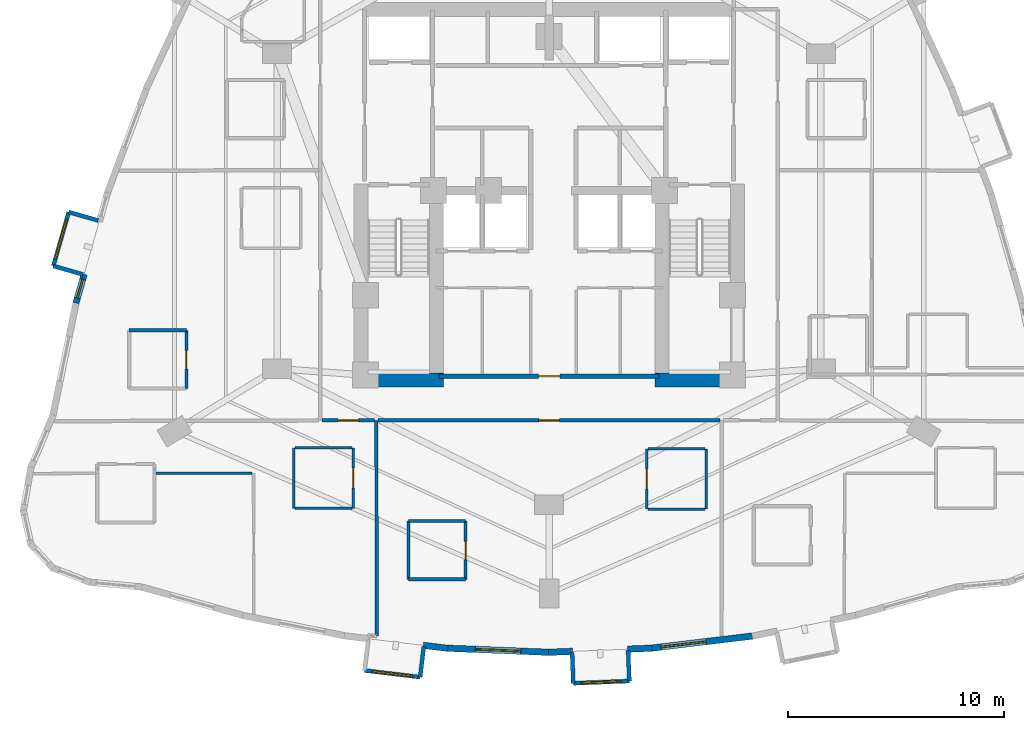
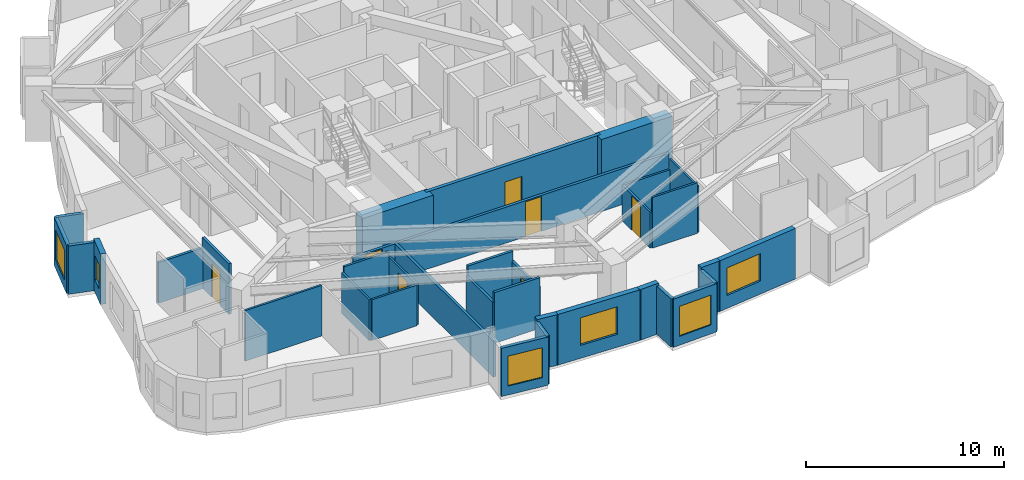
# One storey, part 6 of 13: 35 walls, 7 doors, 6 windows, 13 openings.
"""IFC4 building model written with IfcOpenShell, lengths in metres."""

from ifc_helpers import new_model, si_unit, direction, frame, frame_2d, origin, place, context, subcontext, project, spatial, rectangle, extrude, material, layer, layer_set, type_object, element, fill, save


model = new_model("IFC4")

# Units and contexts
model_context = context("Model", 3, precision=1e-05, world=origin(), true_north=direction((0.0, 1.0)))
body_context = subcontext(model_context, "Body", "Model", "MODEL_VIEW")
ifc_project = project(units=[si_unit("LENGTHUNIT", "METRE"), si_unit("AREAUNIT", "SQUARE_METRE"), si_unit("VOLUMEUNIT", "CUBIC_METRE"), si_unit("PLANEANGLEUNIT", "RADIAN"), si_unit("MASSUNIT", "GRAM", prefix="KILO")], contexts=[model_context])

# Site, building, storey
site_placement = place(None, origin())
site = spatial("IfcSite", under=ifc_project, at=site_placement, CompositionType="ELEMENT")
building_placement = place(site_placement, origin())
building = spatial("IfcBuilding", under=site, at=building_placement, Name="Miruveldt Soraemaru", CompositionType="ELEMENT")
storey_placement = place(building_placement, frame((0.0, 0.0, 70.0)))
storey = spatial("IfcBuildingStorey", under=building, at=storey_placement, Name="L19", CompositionType="ELEMENT", Elevation=70.0)

# Walls
ifc_material_1 = material(Name="White powder-coated aluminium EN AW-6060 T6", Category="aluminium")
ifc_layer_1 = layer(ifc_material_1, 0.18994140625, Name="White powder-coated aluminium EN AW-6060 T6", Category="aluminium")
ifc_layer_set_1 = layer_set([ifc_layer_1], Name="White powder-coated aluminium EN AW-6060 T6")
wall_type_1 = type_object("IfcWallType", Name="WALL-BAY-ALU190", PredefinedType="SOLIDWALL", material=ifc_layer_set_1)
for number, where, z_axis, x_axis, name in (
    (1, (23.110107421875, 42.664794921875, 0.0), (0.0, 0.0, 1.0), (-0.961452801096, 0.274970018845, 0.0), "L19 Bay Window Side Cheek 2L"),
    (2, (21.02490234375, 40.556884765625, 0.0), (0.0, 0.0, 1.0), (0.961452801096, -0.274970018845, 0.0), "L19 Bay Window Side Cheek 2R"),
):
    element("IfcWall", number, at=place(storey_placement, frame(where, z_axis=z_axis, x_axis=x_axis)), inside=storey, type_object=wall_type_1, Name=name, PredefinedType="SOLIDWALL", context=body_context, shape_type="SweptSolid", body=[
        extrude(rectangle(XDim=1.425048828125, YDim=0.18994140625, at=frame_2d((0.71240234375, 0.0))), origin(), (0.0, 0.0, 1.0), 2.97509765625),
    ])

# Wall, opening, window
wall_1_placement = place(storey_placement, frame((21.739990234375, 43.056640625, 0.0), z_axis=(0.0, 0.0, 1.0), x_axis=(-0.275031158597, -0.961435313373, 0.0)))
wall_1 = element("IfcWall", 3, at=wall_1_placement, inside=storey, type_object=wall_type_1, Name="L19 Bay Window Front Frame 2", PredefinedType="SOLIDWALL", context=body_context, shape_type="SweptSolid", body=[
    extrude(rectangle(XDim=2.60009765625, YDim=0.18994140625, at=frame_2d((1.300048828125, 0.0))), origin(), (0.0, 0.0, 1.0), 2.97509765625),
])
opening_1_placement = place(wall_1_placement, frame((0.35009765625, 0.0, 0.550048828125)))
opening_1 = element("IfcOpeningElement", 4, at=opening_1_placement, cuts=wall_1, Name="Opening WN-6", PredefinedType="OPENING", context=body_context, shape_type="SweptSolid", body=[
    extrude(rectangle(XDim=1.89990234375, YDim=1.85009765625, at=frame_2d((0.949951171875, 0.925048828125))), frame((0.0, 0.10498046875, 0.0), z_axis=(0.0, -1.0, 0.0), x_axis=(1.0, 0.0, 0.0)), (0.0, 0.0, 1.0), 0.2099609375),
])
ifc_material_2 = material(Name="Triple low-e insulated glazing", Category="glass")
window_type_1 = type_object("IfcWindowType", Name="WIN-BAYW-1900x1850", PartitioningType="SINGLE_PANEL", PredefinedType="WINDOW", material=ifc_material_2)
window_1_placement = place(opening_1_placement, origin())
window_1 = element("IfcWindow", 5, at=window_1_placement, inside=storey, type_object=window_type_1, Name="L19 Projecting Bay Window 2", OverallHeight=1.85009765625, OverallWidth=1.89990234375, PartitioningType="SINGLE_PANEL", PredefinedType="WINDOW", context=body_context, shape_type="SweptSolid", body=[
    extrude(rectangle(XDim=1.89990234375, YDim=1.85009765625, at=frame_2d((0.949951171875, 0.925048828125))), frame((0.0, 0.030029296875, 0.0), z_axis=(0.0, -1.0, 0.0), x_axis=(1.0, 0.0, 0.0)), (0.0, 0.0, 1.0), 0.06005859375),
])
fill(opening_1, window_1)

# Wall
wall_2_placement = place(storey_placement, frame((38.02685546875, 21.504638671875, 0.0), z_axis=(0.0, 0.0, 1.0), x_axis=(0.119077659317, 0.992884943511, 0.0)))
element("IfcWall", 6, at=wall_2_placement, inside=storey, type_object=wall_type_1, Name="L19 Bay Window Side Cheek 3R", PredefinedType="SOLIDWALL", context=body_context, shape_type="SweptSolid", body=[
    extrude(rectangle(XDim=1.425048828125, YDim=0.18994140625, at=frame_2d((0.71240234375, 0.0))), origin(), (0.0, 0.0, 1.0), 2.97509765625),
])

# Wall, opening, window
wall_3_placement = place(storey_placement, frame((35.4453125, 21.814453125, 0.0), z_axis=(0.0, 0.0, 1.0), x_axis=(0.99287550549, -0.119156328397, 0.0)))
wall_3 = element("IfcWall", 7, at=wall_3_placement, inside=storey, type_object=wall_type_1, Name="L19 Bay Window Front Frame 3", PredefinedType="SOLIDWALL", context=body_context, shape_type="SweptSolid", body=[
    extrude(rectangle(XDim=2.60009765625, YDim=0.18994140625, at=frame_2d((1.300048828125, 0.0))), origin(), (0.0, 0.0, 1.0), 2.97509765625),
])
opening_2_placement = place(wall_3_placement, frame((0.35009765625, 0.0, 0.550048828125)))
opening_2 = element("IfcOpeningElement", 8, at=opening_2_placement, cuts=wall_3, Name="Opening WN-6", PredefinedType="OPENING", context=body_context, shape_type="SweptSolid", body=[
    extrude(rectangle(XDim=1.89990234375, YDim=1.85009765625, at=frame_2d((0.949951171875, 0.925048828125))), frame((0.0, 0.10498046875, 0.0), z_axis=(0.0, -1.0, 0.0), x_axis=(1.0, 0.0, 0.0)), (0.0, 0.0, 1.0), 0.2099609375),
])
window_2_placement = place(opening_2_placement, origin())
window_2 = element("IfcWindow", 9, at=window_2_placement, inside=storey, type_object=window_type_1, Name="L19 Projecting Bay Window 3", OverallHeight=1.85009765625, OverallWidth=1.89990234375, PartitioningType="SINGLE_PANEL", PredefinedType="WINDOW", context=body_context, shape_type="SweptSolid", body=[
    extrude(rectangle(XDim=1.89990234375, YDim=1.85009765625, at=frame_2d((0.949951171875, 0.925048828125))), frame((0.0, 0.030029296875, 0.0), z_axis=(0.0, -1.0, 0.0), x_axis=(1.0, 0.0, 0.0)), (0.0, 0.0, 1.0), 0.06005859375),
])
fill(opening_2, window_2)

# Walls
for number, where, z_axis, x_axis, name in (
    (10, (45.06591796875, 22.64404296875, 0.0), (0.0, 0.0, 1.0), (0.039920142234, -0.999202873417, 0.0), "L19 Bay Window Side Cheek 4L"),
    (11, (47.720703125, 21.32421875, 0.0), (0.0, 0.0, 1.0), (-0.039920142234, 0.999202873417, 0.0), "L19 Bay Window Side Cheek 4R"),
):
    element("IfcWall", number, at=place(storey_placement, frame(where, z_axis=z_axis, x_axis=x_axis)), inside=storey, type_object=wall_type_1, Name=name, PredefinedType="SOLIDWALL", context=body_context, shape_type="SweptSolid", body=[
        extrude(rectangle(XDim=1.425048828125, YDim=0.18994140625, at=frame_2d((0.71240234375, 0.0))), origin(), (0.0, 0.0, 1.0), 2.97509765625),
    ])

# Wall, opening, window
wall_4_placement = place(storey_placement, frame((45.122802734375, 21.22021484375, 0.0), z_axis=(0.0, 0.0, 1.0), x_axis=(0.999199608139, 0.040001788654, 0.0)))
wall_4 = element("IfcWall", 12, at=wall_4_placement, inside=storey, type_object=wall_type_1, Name="L19 Bay Window Front Frame 4", PredefinedType="SOLIDWALL", context=body_context, shape_type="SweptSolid", body=[
    extrude(rectangle(XDim=2.60009765625, YDim=0.18994140625, at=frame_2d((1.300048828125, 0.0))), origin(), (0.0, 0.0, 1.0), 2.97509765625),
])
opening_3_placement = place(wall_4_placement, frame((0.35009765625, 0.0, 0.550048828125)))
opening_3 = element("IfcOpeningElement", 13, at=opening_3_placement, cuts=wall_4, Name="Opening WN-6", PredefinedType="OPENING", context=body_context, shape_type="SweptSolid", body=[
    extrude(rectangle(XDim=1.89990234375, YDim=1.85009765625, at=frame_2d((0.949951171875, 0.925048828125))), frame((0.0, 0.10498046875, 0.0), z_axis=(0.0, -1.0, 0.0), x_axis=(1.0, 0.0, 0.0)), (0.0, 0.0, 1.0), 0.2099609375),
])
window_3_placement = place(opening_3_placement, origin())
window_3 = element("IfcWindow", 14, at=window_3_placement, inside=storey, type_object=window_type_1, Name="L19 Projecting Bay Window 4", OverallHeight=1.85009765625, OverallWidth=1.89990234375, PartitioningType="SINGLE_PANEL", PredefinedType="WINDOW", context=body_context, shape_type="SweptSolid", body=[
    extrude(rectangle(XDim=1.89990234375, YDim=1.85009765625, at=frame_2d((0.949951171875, 0.925048828125))), frame((0.0, 0.030029296875, 0.0), z_axis=(0.0, -1.0, 0.0), x_axis=(1.0, 0.0, 0.0)), (0.0, 0.0, 1.0), 0.06005859375),
])
fill(opening_3, window_3)

# Walls
ifc_material_3 = material(Name="Concrete C80/95 (80 MPa)", Category="concrete")
ifc_layer_2 = layer(ifc_material_3, 0.64990234375, Name="Concrete C80/95 (80 MPa)", Category="concrete")
ifc_layer_set_2 = layer_set([ifc_layer_2], Name="Concrete C80/95 (80 MPa)")
wall_type_2 = type_object("IfcWallType", Name="WALL-CW-650", PredefinedType="SHEAR", material=ifc_layer_set_2)
for number, where, z_axis, x_axis, name in (
    (15, (34.949951171875, 35.27490234375, 0.0), (0.0, 0.0, 1.0), (1.0, 0.0, 0.0), "L19 Central Core Shear Wall S1"),
    (16, (48.89990234375, 35.27490234375, 0.0), (0.0, 0.0, 1.0), (1.0, 0.0, 0.0), "L19 Central Core Shear Wall S2"),
):
    element("IfcWall", number, at=place(storey_placement, frame(where, z_axis=z_axis, x_axis=x_axis)), inside=storey, type_object=wall_type_2, Name=name, PredefinedType="SHEAR", context=body_context, shape_type="SweptSolid", body=[
        extrude(rectangle(XDim=4.150146484375, YDim=0.64990234375, at=frame_2d((2.0751953125, 0.0))), origin(), (0.0, 0.0, 1.0), 3.125),
    ])

# Wall, opening, window
ifc_material_4 = material(Name="Precast concrete C45/55 (45 MPa)", Category="concrete")
ifc_layer_3 = layer(ifc_material_4, 0.300048828125, Name="Precast concrete C45/55 (45 MPa)", Category="concrete")
ifc_layer_set_3 = layer_set([ifc_layer_3], Name="Precast concrete C45/55 (45 MPa)")
wall_type_3 = type_object("IfcWallType", Name="WALL-EXT-PC300", PredefinedType="SOLIDWALL", material=ifc_layer_set_3)
wall_5_placement = place(storey_placement, frame((22.4560546875, 40.1787109375, 0.0), z_axis=(0.0, 0.0, 1.0), x_axis=(-0.274952422311, -0.961457833431, 0.0)))
wall_5 = element("IfcWall", 17, at=wall_5_placement, inside=storey, type_object=wall_type_3, Name="L19 Precast Pier Wall 13B", PredefinedType="SOLIDWALL", context=body_context, shape_type="SweptSolid", body=[
    extrude(rectangle(XDim=1.39404296875, YDim=0.300048828125, at=frame_2d((0.697021484375, 0.0))), origin(), (0.0, 0.0, 1.0), 3.125),
])
opening_4_placement = place(wall_5_placement, frame((0.2470703125, 0.0, 0.780029296875)))
opening_4 = element("IfcOpeningElement", 18, at=opening_4_placement, cuts=wall_5, Name="Opening WN-7", PredefinedType="OPENING", context=body_context, shape_type="SweptSolid", body=[
    extrude(rectangle(XDim=0.89990234375, YDim=1.5, at=frame_2d((0.449951171875, 0.75))), frame((0.0, 0.16015625, 0.0), z_axis=(0.0, -1.0, 0.0), x_axis=(1.0, 0.0, 0.0)), (0.0, 0.0, 1.0), 0.320068359375),
])
window_type_2 = type_object("IfcWindowType", Name="WIN-PUNCH-900x1500", PartitioningType="SINGLE_PANEL", PredefinedType="WINDOW", material=ifc_material_2)
window_4_placement = place(opening_4_placement, origin())
window_4 = element("IfcWindow", 19, at=window_4_placement, inside=storey, type_object=window_type_2, Name="L19 Punched Triple-Glazed Window 13B.1", OverallHeight=1.5, OverallWidth=0.89990234375, PartitioningType="SINGLE_PANEL", PredefinedType="WINDOW", context=body_context, shape_type="SweptSolid", body=[
    extrude(rectangle(XDim=0.89990234375, YDim=1.5, at=frame_2d((0.449951171875, 0.75))), frame((0.0, 0.030029296875, 0.0), z_axis=(0.0, -1.0, 0.0), x_axis=(1.0, 0.0, 0.0)), (0.0, 0.0, 1.0), 0.06005859375),
])
fill(opening_4, window_4)

# Wall
wall_6_placement = place(storey_placement, frame((38.17333984375, 22.977783203125, 0.0), z_axis=(0.0, 0.0, 1.0), x_axis=(0.99286674232, -0.119229325232, 0.0)))
element("IfcWall", 20, at=wall_6_placement, inside=storey, type_object=wall_type_3, Name="L19 Precast Pier Wall 23B", PredefinedType="SOLIDWALL", context=body_context, shape_type="SweptSolid", body=[
    extrude(rectangle(XDim=1.14453125, YDim=0.300048828125, at=frame_2d((0.572265625, 0.0))), origin(), (0.0, 0.0, 1.0), 3.125),
])

# Wall, opening, window
wall_7_placement = place(storey_placement, frame((39.239990234375, 22.846923828125, 0.0), z_axis=(0.0, 0.0, 1.0), x_axis=(0.999200145803, -0.039988356141, 0.0)))
wall_7 = element("IfcWall", 21, at=wall_7_placement, inside=storey, type_object=wall_type_3, Name="L19 Precast Concrete Facade Wall 24", PredefinedType="SOLIDWALL", context=body_context, shape_type="SweptSolid", body=[
    extrude(rectangle(XDim=4.798828125, YDim=0.300048828125, at=frame_2d((2.3994140625, 0.0))), origin(), (0.0, 0.0, 1.0), 3.125),
])
opening_5_placement = place(wall_7_placement, frame((1.34912109375, 0.0, 0.800048828125)))
opening_5 = element("IfcOpeningElement", 22, at=opening_5_placement, cuts=wall_7, Name="Opening WN-1", PredefinedType="OPENING", context=body_context, shape_type="SweptSolid", body=[
    extrude(rectangle(XDim=2.10009765625, YDim=1.699951171875, at=frame_2d((1.050048828125, 0.85009765625))), frame((0.0, 0.16015625, 0.0), z_axis=(0.0, -1.0, 0.0), x_axis=(1.0, 0.0, 0.0)), (0.0, 0.0, 1.0), 0.320068359375),
])
window_type_3 = type_object("IfcWindowType", Name="WIN-PUNCH-2100x1700", PartitioningType="SINGLE_PANEL", PredefinedType="WINDOW", material=ifc_material_2)
window_5_placement = place(opening_5_placement, origin())
window_5 = element("IfcWindow", 23, at=window_5_placement, inside=storey, type_object=window_type_3, Name="L19 Punched Triple-Glazed Window 24.1", OverallHeight=1.699951171875, OverallWidth=2.10009765625, PartitioningType="SINGLE_PANEL", PredefinedType="WINDOW", context=body_context, shape_type="SweptSolid", body=[
    extrude(rectangle(XDim=2.10009765625, YDim=1.699951171875, at=frame_2d((1.050048828125, 0.85009765625))), frame((0.0, 0.030029296875, 0.0), z_axis=(0.0, -1.0, 0.0), x_axis=(1.0, 0.0, 0.0)), (0.0, 0.0, 1.0), 0.06005859375),
])
fill(opening_5, window_5)

# Walls
for number, where, z_axis, x_axis, name in (
    (24, (43.965087890625, 22.655029296875, 0.0), (0.0, 0.0, 1.0), (0.999199922363, 0.039993938909, 0.0), "L19 Precast Pier Wall 25A"),
    (25, (47.631591796875, 22.8017578125, 0.0), (0.0, 0.0, 1.0), (0.999199922363, 0.039993938909, 0.0), "L19 Precast Pier Wall 25B"),
):
    element("IfcWall", number, at=place(storey_placement, frame(where, z_axis=z_axis, x_axis=x_axis)), inside=storey, type_object=wall_type_3, Name=name, PredefinedType="SOLIDWALL", context=body_context, shape_type="SweptSolid", body=[
        extrude(rectangle(XDim=1.12939453125, YDim=0.300048828125, at=frame_2d((0.564697265625, 0.0))), origin(), (0.0, 0.0, 1.0), 3.125),
    ])

# Wall, opening, window
wall_8_placement = place(storey_placement, frame((48.690185546875, 22.84130859375, 0.0), z_axis=(0.0, 0.0, 1.0), x_axis=(0.99287564237, 0.119155187834, 0.0)))
wall_8 = element("IfcWall", 26, at=wall_8_placement, inside=storey, type_object=wall_type_3, Name="L19 Precast Concrete Facade Wall 26", PredefinedType="SOLIDWALL", context=body_context, shape_type="SweptSolid", body=[
    extrude(rectangle(XDim=4.829345703125, YDim=0.300048828125, at=frame_2d((2.41455078125, 0.0))), origin(), (0.0, 0.0, 1.0), 3.125),
])
opening_6_placement = place(wall_8_placement, frame((0.501953125, 0.0, 0.800048828125)))
opening_6 = element("IfcOpeningElement", 27, at=opening_6_placement, cuts=wall_8, Name="Opening WN-1", PredefinedType="OPENING", context=body_context, shape_type="SweptSolid", body=[
    extrude(rectangle(XDim=2.10009765625, YDim=1.699951171875, at=frame_2d((1.050048828125, 0.85009765625))), frame((0.0, 0.16015625, 0.0), z_axis=(0.0, -1.0, 0.0), x_axis=(1.0, 0.0, 0.0)), (0.0, 0.0, 1.0), 0.320068359375),
])
window_6_placement = place(opening_6_placement, origin())
window_6 = element("IfcWindow", 28, at=window_6_placement, inside=storey, type_object=window_type_3, Name="L19 Punched Triple-Glazed Window 26.1", OverallHeight=1.699951171875, OverallWidth=2.10009765625, PartitioningType="SINGLE_PANEL", PredefinedType="WINDOW", context=body_context, shape_type="SweptSolid", body=[
    extrude(rectangle(XDim=2.10009765625, YDim=1.699951171875, at=frame_2d((1.050048828125, 0.85009765625))), frame((0.0, 0.030029296875, 0.0), z_axis=(0.0, -1.0, 0.0), x_axis=(1.0, 0.0, 0.0)), (0.0, 0.0, 1.0), 0.06005859375),
])
fill(opening_6, window_6)

# Wall, opening, door
ifc_material_5 = material(Name="Gypsum plasterboard lining", Category="gypsum")
ifc_layer_4 = layer(ifc_material_5, 0.1201171875, Name="Gypsum plasterboard lining", Category="gypsum")
ifc_layer_set_4 = layer_set([ifc_layer_4], Name="Gypsum plasterboard lining")
wall_type_4 = type_object("IfcWallType", Name="WALL-INT-P120", PredefinedType="PARTITIONING", material=ifc_layer_set_4)
wall_9_placement = place(storey_placement, frame((34.9169921875, 29.326904296875, 0.0), z_axis=(0.0, 0.0, 1.0), x_axis=(0.0, 1.0, 0.0)))
wall_9 = element("IfcWall", 29, at=wall_9_placement, inside=storey, type_object=wall_type_4, Name="L19 Partition Wall 82", PredefinedType="PARTITIONING", context=body_context, shape_type="SweptSolid", body=[
    extrude(rectangle(XDim=2.800048828125, YDim=0.1201171875, at=frame_2d((1.39990234375, 0.0))), origin(), (0.0, 0.0, 1.0), 2.512939453125),
])
opening_7_placement = place(wall_9_placement, frame((0.93994140625, 0.0, 0.0)))
opening_7 = element("IfcOpeningElement", 30, at=opening_7_placement, cuts=wall_9, Name="Opening D3A", PredefinedType="OPENING", context=body_context, shape_type="SweptSolid", body=[
    extrude(rectangle(XDim=0.919921875, YDim=2.10009765625, at=frame_2d((0.4599609375, 1.050048828125))), frame((0.0, 0.070068359375, 0.0), z_axis=(0.0, -1.0, 0.0), x_axis=(1.0, 0.0, 0.0)), (0.0, 0.0, 1.0), 0.14013671875),
])
ifc_material_6 = material(Name="Anodised aluminium EN AW-6063 T6", Category="aluminium")
door_type_1 = type_object("IfcDoorType", Name="DOOR-INT-920", OperationType="NOTDEFINED", PredefinedType="DOOR", material=ifc_material_6)
door_1_placement = place(opening_7_placement, origin())
door_1 = element("IfcDoor", 31, at=door_1_placement, inside=storey, type_object=door_type_1, Name="L19 Unit 1907 KIT Door", OperationType="SINGLE_SWING_LEFT", OverallHeight=2.10009765625, OverallWidth=0.919921875, PredefinedType="DOOR", context=body_context, shape_type="SweptSolid", body=[
    extrude(rectangle(XDim=0.919921875, YDim=2.10009765625, at=frame_2d((0.4599609375, 1.050048828125))), frame((0.0, 0.02490234375, 0.0), z_axis=(0.0, -1.0, 0.0), x_axis=(1.0, 0.0, 0.0)), (0.0, 0.0, 1.0), 0.050048828125),
])
fill(opening_7, door_1)

wall_10_placement = place(storey_placement, frame((48.530029296875, 32.089111328125, 0.0), z_axis=(0.0, 0.0, 1.0), x_axis=(0.0, -1.0, 0.0)))
wall_10 = element("IfcWall", 32, at=wall_10_placement, inside=storey, type_object=wall_type_4, Name="L19 Partition Wall 99", PredefinedType="PARTITIONING", context=body_context, shape_type="SweptSolid", body=[
    extrude(rectangle(XDim=2.800048828125, YDim=0.1201171875, at=frame_2d((1.39990234375, 0.0))), origin(), (0.0, 0.0, 1.0), 2.219970703125),
])
opening_8_placement = place(wall_10_placement, frame((0.93994140625, 0.0, 0.0)))
opening_8 = element("IfcOpeningElement", 33, at=opening_8_placement, cuts=wall_10, Name="Opening D3A", PredefinedType="OPENING", context=body_context, shape_type="SweptSolid", body=[
    extrude(rectangle(XDim=0.919921875, YDim=2.10009765625, at=frame_2d((0.4599609375, 1.050048828125))), frame((0.0, 0.070068359375, 0.0), z_axis=(0.0, -1.0, 0.0), x_axis=(1.0, 0.0, 0.0)), (0.0, 0.0, 1.0), 0.14013671875),
])
door_2_placement = place(opening_8_placement, origin())
door_2 = element("IfcDoor", 34, at=door_2_placement, inside=storey, type_object=door_type_1, Name="L19 Unit CL08 KIT Door", OperationType="SINGLE_SWING_LEFT", OverallHeight=2.10009765625, OverallWidth=0.919921875, PredefinedType="DOOR", context=body_context, shape_type="SweptSolid", body=[
    extrude(rectangle(XDim=0.919921875, YDim=2.10009765625, at=frame_2d((0.4599609375, 1.050048828125))), frame((0.0, 0.02490234375, 0.0), z_axis=(0.0, -1.0, 0.0), x_axis=(1.0, 0.0, 0.0)), (0.0, 0.0, 1.0), 0.050048828125),
])
fill(opening_8, door_2)

# Walls
wall_11_placement = place(storey_placement, frame((25.777099609375, 30.949951171875, 0.0), z_axis=(0.0, 0.0, 1.0), x_axis=(1.0, 0.0, 0.0)))
element("IfcWall", 35, at=wall_11_placement, inside=storey, type_object=wall_type_4, Name="L19 Partition Wall 87", PredefinedType="PARTITIONING", context=body_context, shape_type="SweptSolid", body=[
    extrude(rectangle(XDim=4.46484375, YDim=0.1201171875, at=frame_2d((2.232421875, 0.0))), origin(), (0.0, 0.0, 1.0), 3.125),
])
wall_12_placement = place(storey_placement, frame((32.1669921875, 32.126953125, 0.0), z_axis=(0.0, 0.0, 1.0), x_axis=(0.0, -1.0, 0.0)))
element("IfcWall", 36, at=wall_12_placement, inside=storey, type_object=wall_type_4, Name="L19 Partition Wall 84", PredefinedType="PARTITIONING", context=body_context, shape_type="SweptSolid", body=[
    extrude(rectangle(XDim=2.800048828125, YDim=0.1201171875, at=frame_2d((1.39990234375, 0.0))), origin(), (0.0, 0.0, 1.0), 2.512939453125),
])
wall_13_placement = place(storey_placement, frame((51.280029296875, 29.2890625, 0.0), z_axis=(0.0, 0.0, 1.0), x_axis=(0.0, 1.0, 0.0)))
element("IfcWall", 37, at=wall_13_placement, inside=storey, type_object=wall_type_4, Name="L19 Partition Wall 97", PredefinedType="PARTITIONING", context=body_context, shape_type="SweptSolid", body=[
    extrude(rectangle(XDim=2.800048828125, YDim=0.1201171875, at=frame_2d((1.39990234375, 0.0))), origin(), (0.0, 0.0, 1.0), 2.863037109375),
])
wall_14_placement = place(storey_placement, frame((34.85693359375, 32.126953125, 0.0), z_axis=(0.0, 0.0, 1.0), x_axis=(-1.0, 0.0, 0.0)))
element("IfcWall", 38, at=wall_14_placement, inside=storey, type_object=wall_type_4, Name="L19 Partition Wall 83", PredefinedType="PARTITIONING", context=body_context, shape_type="SweptSolid", body=[
    extrude(rectangle(XDim=2.6298828125, YDim=0.1201171875, at=frame_2d((1.31494140625, 0.0))), origin(), (0.0, 0.0, 1.0), 2.863037109375),
])
wall_15_placement = place(storey_placement, frame((32.22705078125, 29.326904296875, 0.0), z_axis=(0.0, 0.0, 1.0), x_axis=(1.0, 0.0, 0.0)))
element("IfcWall", 39, at=wall_15_placement, inside=storey, type_object=wall_type_4, Name="L19 Partition Wall 85", PredefinedType="PARTITIONING", context=body_context, shape_type="SweptSolid", body=[
    extrude(rectangle(XDim=2.6298828125, YDim=0.1201171875, at=frame_2d((1.31494140625, 0.0))), origin(), (0.0, 0.0, 1.0), 2.512939453125),
])
wall_16_placement = place(storey_placement, frame((51.219970703125, 32.089111328125, 0.0), z_axis=(0.0, 0.0, 1.0), x_axis=(-1.0, 0.0, 0.0)))
element("IfcWall", 40, at=wall_16_placement, inside=storey, type_object=wall_type_4, Name="L19 Partition Wall 98", PredefinedType="PARTITIONING", context=body_context, shape_type="SweptSolid", body=[
    extrude(rectangle(XDim=2.6298828125, YDim=0.1201171875, at=frame_2d((1.31494140625, 0.0))), origin(), (0.0, 0.0, 1.0), 2.219970703125),
])
wall_17_placement = place(storey_placement, frame((48.590087890625, 29.2890625, 0.0), z_axis=(0.0, 0.0, 1.0), x_axis=(1.0, 0.0, 0.0)))
element("IfcWall", 41, at=wall_17_placement, inside=storey, type_object=wall_type_4, Name="L19 Partition Wall 100", PredefinedType="PARTITIONING", context=body_context, shape_type="SweptSolid", body=[
    extrude(rectangle(XDim=2.6298828125, YDim=0.1201171875, at=frame_2d((1.31494140625, 0.0))), origin(), (0.0, 0.0, 1.0), 3.125),
])

# Wall, opening, door
ifc_layer_5 = layer(ifc_material_5, 0.14990234375, Name="Gypsum plasterboard lining", Category="gypsum")
ifc_layer_set_5 = layer_set([ifc_layer_5], Name="Gypsum plasterboard lining")
wall_type_5 = type_object("IfcWallType", Name="WALL-INT-PLUMB", PredefinedType="PLUMBINGWALL", material=ifc_layer_set_5)
wall_18_placement = place(storey_placement, frame((40.1298828125, 26.0390625, 0.0), z_axis=(0.0, 0.0, 1.0), x_axis=(0.0, 1.0, 0.0)))
wall_18 = element("IfcWall", 42, at=wall_18_placement, inside=storey, type_object=wall_type_5, Name="L19 Partition Wall 93", PredefinedType="PLUMBINGWALL", context=body_context, shape_type="SweptSolid", body=[
    extrude(rectangle(XDim=2.699951171875, YDim=0.14990234375, at=frame_2d((1.35009765625, 0.0))), origin(), (0.0, 0.0, 1.0), 2.512939453125),
])
opening_9_placement = place(wall_18_placement, frame((0.909912109375, 0.0, 0.0)))
opening_9 = element("IfcOpeningElement", 43, at=opening_9_placement, cuts=wall_18, Name="Opening FD3", PredefinedType="OPENING", context=body_context, shape_type="SweptSolid", body=[
    extrude(rectangle(XDim=0.85009765625, YDim=2.10009765625, at=frame_2d((0.425048828125, 1.050048828125))), frame((0.0, 0.0849609375, 0.0), z_axis=(0.0, -1.0, 0.0), x_axis=(1.0, 0.0, 0.0)), (0.0, 0.0, 1.0), 0.169921875),
])
door_type_2 = type_object("IfcDoorType", Name="DOOR-FD3-850", OperationType="NOTDEFINED", PredefinedType="DOOR", material=ifc_material_6)
door_3_placement = place(opening_9_placement, origin())
door_3 = element("IfcDoor", 44, at=door_3_placement, inside=storey, type_object=door_type_2, Name="L19 Unit CL08 BTH Door", OperationType="SINGLE_SWING_RIGHT", OverallHeight=2.10009765625, OverallWidth=0.85009765625, PredefinedType="DOOR", context=body_context, shape_type="SweptSolid", body=[
    extrude(rectangle(XDim=0.85009765625, YDim=2.10009765625, at=frame_2d((0.425048828125, 1.050048828125))), frame((0.0, 0.02490234375, 0.0), z_axis=(0.0, -1.0, 0.0), x_axis=(1.0, 0.0, 0.0)), (0.0, 0.0, 1.0), 0.050048828125),
])
fill(opening_9, door_3)

wall_19_placement = place(storey_placement, frame((27.196044921875, 34.8798828125, 0.0), z_axis=(0.0, 0.0, 1.0), x_axis=(0.0, 1.0, 0.0)))
wall_19 = element("IfcWall", 45, at=wall_19_placement, inside=storey, type_object=wall_type_5, Name="L19 Partition Wall 52", PredefinedType="PLUMBINGWALL", context=body_context, shape_type="SweptSolid", body=[
    extrude(rectangle(XDim=2.7001953125, YDim=0.14990234375, at=frame_2d((1.35009765625, 0.0))), origin(), (0.0, 0.0, 1.0), 3.125),
])
opening_10_placement = place(wall_19_placement, frame((0.909912109375, 0.0, 0.0)))
opening_10 = element("IfcOpeningElement", 46, at=opening_10_placement, cuts=wall_19, Name="Opening FD3", PredefinedType="OPENING", context=body_context, shape_type="SweptSolid", body=[
    extrude(rectangle(XDim=0.85009765625, YDim=2.10009765625, at=frame_2d((0.425048828125, 1.050048828125))), frame((0.0, 0.0849609375, 0.0), z_axis=(0.0, -1.0, 0.0), x_axis=(1.0, 0.0, 0.0)), (0.0, 0.0, 1.0), 0.169921875),
])
door_4_placement = place(opening_10_placement, origin())
door_4 = element("IfcDoor", 47, at=door_4_placement, inside=storey, type_object=door_type_2, Name="L19 Unit CL04 BTH Door", OperationType="SINGLE_SWING_LEFT", OverallHeight=2.10009765625, OverallWidth=0.85009765625, PredefinedType="DOOR", context=body_context, shape_type="SweptSolid", body=[
    extrude(rectangle(XDim=0.85009765625, YDim=2.10009765625, at=frame_2d((0.425048828125, 1.050048828125))), frame((0.0, 0.02490234375, 0.0), z_axis=(0.0, -1.0, 0.0), x_axis=(1.0, 0.0, 0.0)), (0.0, 0.0, 1.0), 0.050048828125),
])
fill(opening_10, door_4)

# Walls
wall_20_placement = place(storey_placement, frame((37.47998046875, 28.739013671875, 0.0), z_axis=(0.0, 0.0, 1.0), x_axis=(0.0, -1.0, 0.0)))
element("IfcWall", 48, at=wall_20_placement, inside=storey, type_object=wall_type_5, Name="L19 Partition Wall 95", PredefinedType="PLUMBINGWALL", context=body_context, shape_type="SweptSolid", body=[
    extrude(rectangle(XDim=2.699951171875, YDim=0.14990234375, at=frame_2d((1.35009765625, 0.0))), origin(), (0.0, 0.0, 1.0), 2.512939453125),
])
for number, where, z_axis, x_axis, name in (
    (49, (40.1298828125, 28.739013671875, 0.0), (0.0, 0.0, 1.0), (-1.0, 0.0, 0.0), "L19 Partition Wall 94"),
    (50, (37.47998046875, 26.0390625, 0.0), (0.0, 0.0, 1.0), (1.0, 0.0, 0.0), "L19 Partition Wall 96"),
):
    element("IfcWall", number, at=place(storey_placement, frame(where, z_axis=z_axis, x_axis=x_axis)), inside=storey, type_object=wall_type_5, Name=name, PredefinedType="PLUMBINGWALL", context=body_context, shape_type="SweptSolid", body=[
        extrude(rectangle(XDim=2.64990234375, YDim=0.14990234375, at=frame_2d((1.324951171875, 0.0))), origin(), (0.0, 0.0, 1.0), 3.125),
    ])
wall_21_placement = place(storey_placement, frame((27.196044921875, 37.580078125, 0.0), z_axis=(0.0, 0.0, 1.0), x_axis=(-1.0, 0.0, 0.0)))
element("IfcWall", 51, at=wall_21_placement, inside=storey, type_object=wall_type_5, Name="L19 Partition Wall 53", PredefinedType="PLUMBINGWALL", context=body_context, shape_type="SweptSolid", body=[
    extrude(rectangle(XDim=2.650146484375, YDim=0.14990234375, at=frame_2d((1.3251953125, 0.0))), origin(), (0.0, 0.0, 1.0), 2.512939453125),
])

# Wall, opening, door
ifc_material_7 = material(Name="Concrete C40/50 (40 MPa)", Category="concrete")
ifc_layer_6 = layer(ifc_material_7, 0.159912109375, Name="Concrete C40/50 (40 MPa)", Category="concrete")
ifc_layer_set_6 = layer_set([ifc_layer_6], Name="Concrete C40/50 (40 MPa)")
wall_type_6 = type_object("IfcWallType", Name="WALL-INT-RC160", PredefinedType="SOLIDWALL", material=ifc_layer_set_6)
wall_22_placement = place(storey_placement, frame((36.080078125, 33.39990234375, 0.0), z_axis=(0.0, 0.0, 1.0), x_axis=(1.0, 0.0, 0.0)))
wall_22 = element("IfcWall", 52, at=wall_22_placement, inside=storey, type_object=wall_type_6, Name="L19 Partition Wall 10", PredefinedType="SOLIDWALL", context=body_context, shape_type="SweptSolid", body=[
    extrude(rectangle(XDim=15.83984375, YDim=0.159912109375, at=frame_2d((7.919921875, 0.0))), origin(), (0.0, 0.0, 1.0), 2.219970703125),
])
opening_11_placement = place(wall_22_placement, frame((7.445068359375, 0.0, 0.0)))
opening_11 = element("IfcOpeningElement", 53, at=opening_11_placement, cuts=wall_22, Name="Opening FD2", PredefinedType="OPENING", context=body_context, shape_type="SweptSolid", body=[
    extrude(rectangle(XDim=0.949951171875, YDim=2.14990234375, at=frame_2d((0.47509765625, 1.074951171875))), frame((0.0, 0.08984375, 0.0), z_axis=(0.0, -1.0, 0.0), x_axis=(1.0, 0.0, 0.0)), (0.0, 0.0, 1.0), 0.179931640625),
])
door_type_3 = type_object("IfcDoorType", Name="DOOR-FD2-950", OperationType="NOTDEFINED", PredefinedType="DOOR", material=ifc_material_6)
door_5_placement = place(opening_11_placement, origin())
door_5 = element("IfcDoor", 54, at=door_5_placement, inside=storey, type_object=door_type_3, Name="L19 Unit CL08 Entrance Fire Door", OperationType="SINGLE_SWING_LEFT", OverallHeight=2.14990234375, OverallWidth=0.949951171875, PredefinedType="DOOR", context=body_context, shape_type="SweptSolid", body=[
    extrude(rectangle(XDim=0.949951171875, YDim=2.14990234375, at=frame_2d((0.47509765625, 1.074951171875))), frame((0.0, 0.02490234375, 0.0), z_axis=(0.0, -1.0, 0.0), x_axis=(1.0, 0.0, 0.0)), (0.0, 0.0, 1.0), 0.050048828125),
])
fill(opening_11, door_5)

wall_23_placement = place(storey_placement, frame((33.47998046875, 33.39990234375, 0.0), z_axis=(0.0, 0.0, 1.0), x_axis=(1.0, 0.0, 0.0)))
wall_23 = element("IfcWall", 55, at=wall_23_placement, inside=storey, type_object=wall_type_6, Name="L19 Partition Wall 9", PredefinedType="SOLIDWALL", context=body_context, shape_type="SweptSolid", body=[
    extrude(rectangle(XDim=2.43994140625, YDim=0.159912109375, at=frame_2d((1.219970703125, 0.0))), origin(), (0.0, 0.0, 1.0), 2.219970703125),
])
opening_12_placement = place(wall_23_placement, frame((0.7451171875, 0.0, 0.0)))
opening_12 = element("IfcOpeningElement", 56, at=opening_12_placement, cuts=wall_23, Name="Opening FD2", PredefinedType="OPENING", context=body_context, shape_type="SweptSolid", body=[
    extrude(rectangle(XDim=0.949951171875, YDim=2.14990234375, at=frame_2d((0.47509765625, 1.074951171875))), frame((0.0, 0.08984375, 0.0), z_axis=(0.0, -1.0, 0.0), x_axis=(1.0, 0.0, 0.0)), (0.0, 0.0, 1.0), 0.179931640625),
])
door_6_placement = place(opening_12_placement, origin())
door_6 = element("IfcDoor", 57, at=door_6_placement, inside=storey, type_object=door_type_3, Name="L19 Unit 1907 Entrance Fire Door", OperationType="SINGLE_SWING_LEFT", OverallHeight=2.14990234375, OverallWidth=0.949951171875, PredefinedType="DOOR", context=body_context, shape_type="SweptSolid", body=[
    extrude(rectangle(XDim=0.949951171875, YDim=2.14990234375, at=frame_2d((0.47509765625, 1.074951171875))), frame((0.0, 0.02490234375, 0.0), z_axis=(0.0, -1.0, 0.0), x_axis=(1.0, 0.0, 0.0)), (0.0, 0.0, 1.0), 0.050048828125),
])
fill(opening_12, door_6)

# Wall
wall_24_placement = place(storey_placement, frame((36.010009765625, 23.403076171875, 0.0), z_axis=(0.0, 0.0, 1.0), x_axis=(-0.001001293854, 0.999999498705, 0.0)))
element("IfcWall", 58, at=wall_24_placement, inside=storey, type_object=wall_type_6, Name="L19 Partition Wall 89", PredefinedType="SOLIDWALL", context=body_context, shape_type="SweptSolid", body=[
    extrude(rectangle(XDim=9.996826171875, YDim=0.159912109375, at=frame_2d((4.99853515625, 0.0))), origin(), (0.0, 0.0, 1.0), 2.219970703125),
])

# Wall, opening, door
ifc_layer_7 = layer(ifc_material_7, 0.199951171875, Name="Concrete C40/50 (40 MPa)", Category="concrete")
ifc_layer_set_7 = layer_set([ifc_layer_7], Name="Concrete C40/50 (40 MPa)")
wall_type_7 = type_object("IfcWallType", Name="WALL-INT-RC200", PredefinedType="SOLIDWALL", material=ifc_layer_set_7)
wall_25_placement = place(storey_placement, frame((38.89990234375, 35.449951171875, 0.0), z_axis=(0.0, 0.0, 1.0), x_axis=(1.0, 0.0, 0.0)))
wall_25 = element("IfcWall", 59, at=wall_25_placement, inside=storey, type_object=wall_type_7, Name="L19 Core Compartment Wall CS-S", PredefinedType="SOLIDWALL", context=body_context, shape_type="SweptSolid", body=[
    extrude(rectangle(XDim=10.2001953125, YDim=0.199951171875, at=frame_2d((5.10009765625, 0.0))), origin(), (0.0, 0.0, 1.0), 3.125),
])
opening_13_placement = place(wall_25_placement, frame((4.60009765625, 0.0, 0.0)))
opening_13 = element("IfcOpeningElement", 60, at=opening_13_placement, cuts=wall_25, Name="Opening FD1", PredefinedType="OPENING", context=body_context, shape_type="SweptSolid", body=[
    extrude(rectangle(XDim=1.0, YDim=2.14990234375, at=frame_2d((0.5, 1.074951171875))), frame((0.0, 0.10986328125, 0.0), z_axis=(0.0, -1.0, 0.0), x_axis=(1.0, 0.0, 0.0)), (0.0, 0.0, 1.0), 0.219970703125),
])
door_type_4 = type_object("IfcDoorType", Name="DOOR-FD1-1000", OperationType="NOTDEFINED", PredefinedType="DOOR", material=ifc_material_6)
door_7_placement = place(opening_13_placement, origin())
door_7 = element("IfcDoor", 61, at=door_7_placement, inside=storey, type_object=door_type_4, Name="L19 Core South Lobby Fire Door", OperationType="SINGLE_SWING_LEFT", OverallHeight=2.14990234375, OverallWidth=1.0, PredefinedType="DOOR", context=body_context, shape_type="SweptSolid", body=[
    extrude(rectangle(XDim=1.0, YDim=2.14990234375, at=frame_2d((0.5, 1.074951171875))), frame((0.0, 0.02490234375, 0.0), z_axis=(0.0, -1.0, 0.0), x_axis=(1.0, 0.0, 0.0)), (0.0, 0.0, 1.0), 0.050048828125),
])
fill(opening_13, door_7)

save(model, "model.ifc")
